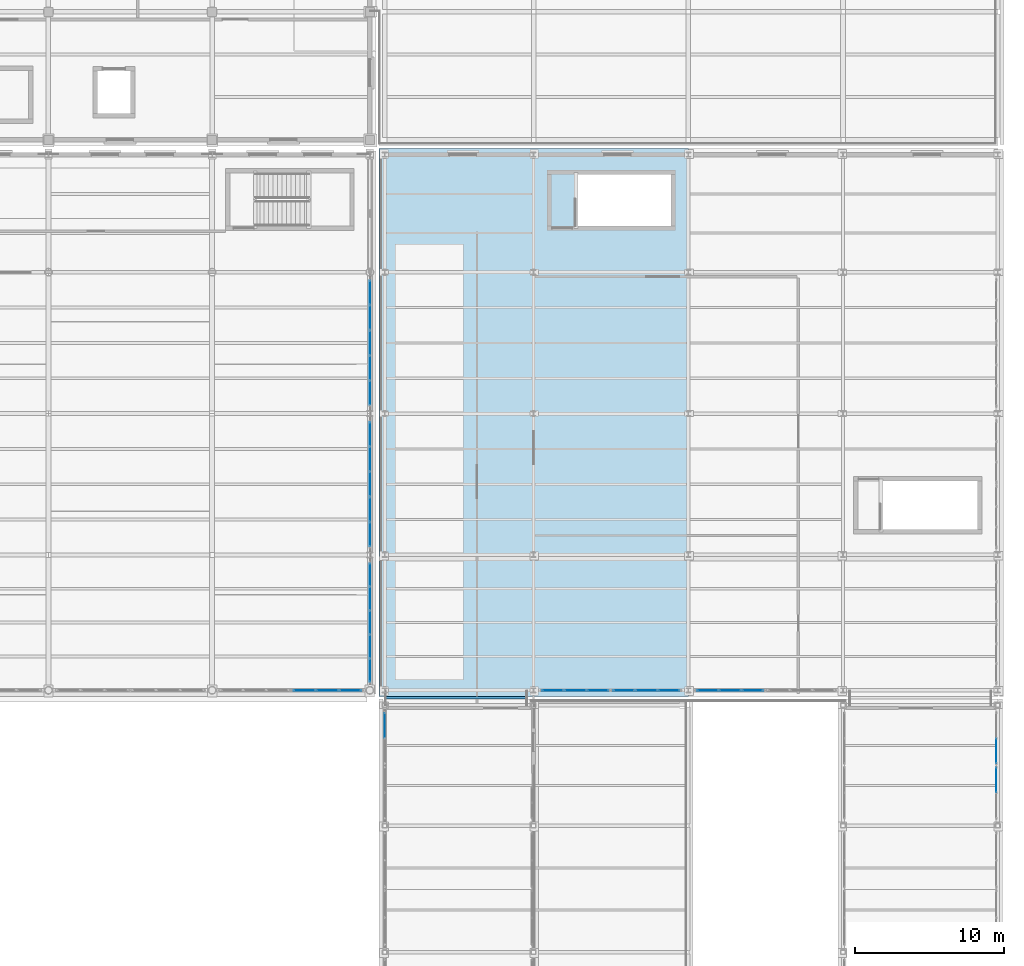
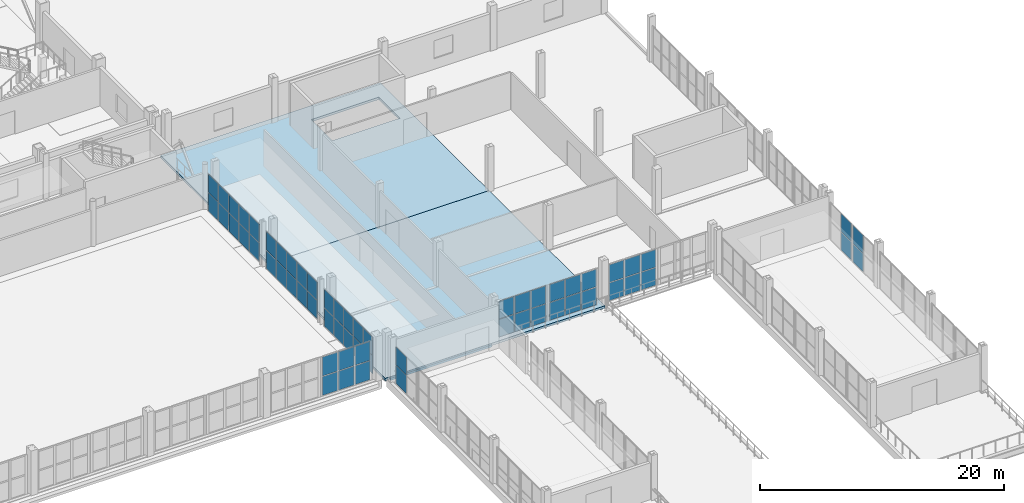
# One storey, part 109 of 156: 60 plates, 3 slabs, 10 elements without a shape of their own.
"""IFC4 building model written with IfcOpenShell, lengths in metres."""

from ifc_helpers import new_model, si_unit, direction, frame, origin, origin_2d, place, context, subcontext, project, spatial, polyline, rectangle, outline, extrude, material, layer, layer_set, type_object, element, aggregate, save


model = new_model("IFC4")

# Units and contexts
model_context = context("Model", 3, precision=1e-05, world=origin(), true_north=direction((0.0, 1.0)))
body_context = subcontext(model_context, "Body", "Model", "MODEL_VIEW")
ifc_project = project(units=[si_unit("LENGTHUNIT", "METRE"), si_unit("AREAUNIT", "SQUARE_METRE"), si_unit("VOLUMEUNIT", "CUBIC_METRE"), si_unit("PLANEANGLEUNIT", "RADIAN"), si_unit("MASSUNIT", "GRAM", prefix="KILO")], contexts=[model_context])

# Site, building, storey
site_placement = place(None, origin())
site = spatial("IfcSite", under=ifc_project, at=site_placement, CompositionType="ELEMENT")
building_placement = place(site_placement, origin())
building = spatial("IfcBuilding", under=site, at=building_placement, Name="Caurita Quay Ferry Terminal", CompositionType="ELEMENT")
storey_placement = place(building_placement, frame((0.0, 0.0, 5.39990234375)))
storey = spatial("IfcBuildingStorey", under=building, at=storey_placement, Name="L01", CompositionType="ELEMENT", Elevation=5.39990234375)

# Curtain wall, plates
ifc_material_1 = material(Name="Laminated solar-control insulated glass", Category="glass")
curtain_wall_type_1 = type_object("IfcCurtainWallType", Name="CW-SYS-16", PredefinedType="NOTDEFINED", material=ifc_material_1)
curtain_wall_1_placement = place(storey_placement, origin())
curtain_wall_1 = element("IfcCurtainWall", 1, at=curtain_wall_1_placement, inside=storey, type_object=curtain_wall_type_1, Name="Boarding Gangway Ribbon Curtain Wall 118", PredefinedType="NOTDEFINED")
ifc_layer_1 = layer(ifc_material_1, 0.02392578125, Name="Laminated low-e hurricane-rated glazing unit 24 mm")
ifc_layer_set_1 = layer_set([ifc_layer_1], Name="Laminated solar-control insulated glass")
plate_type_1 = type_object("IfcPlateType", Name="CW-PNL-24", PredefinedType="CURTAIN_PANEL", material=ifc_layer_set_1)
plate_1_placement = place(storey_placement, frame((132.800048828125, 32.237548828125, 0.05322265625), z_axis=(0.0, 0.0, 1.0), x_axis=(0.0, 1.0, 0.0)))
plate_1 = element("IfcPlate", 2, at=plate_1_placement, type_object=plate_type_1, Name="CW-BGW-118 Glazing Panel 3", PredefinedType="CURTAIN_PANEL", context=body_context, shape_type="SweptSolid", body=[
    extrude(rectangle(XDim=1.64892578125, YDim=0.02392578125, at=origin_2d()), origin(), (0.0, 0.0, 1.0), 1.79638671875),
])
plate_2_placement = place(storey_placement, frame((132.800048828125, 32.237548828125, 1.900634765625), z_axis=(0.0, 0.0, 1.0), x_axis=(0.0, 1.0, 0.0)))
plate_2 = element("IfcPlate", 3, at=plate_2_placement, type_object=plate_type_1, Name="CW-BGW-118 Glazing Panel 4", PredefinedType="CURTAIN_PANEL", context=body_context, shape_type="SweptSolid", body=[
    extrude(rectangle(XDim=1.64892578125, YDim=0.02392578125, at=origin_2d()), origin(), (0.0, 0.0, 1.0), 1.79638671875),
])
aggregate(curtain_wall_1, [plate_1, plate_2])

curtain_wall_2_placement = place(storey_placement, origin())
curtain_wall_2 = element("IfcCurtainWall", 4, at=curtain_wall_2_placement, inside=storey, type_object=curtain_wall_type_1, Name="Boarding Gangway Ribbon Curtain Wall 134", PredefinedType="NOTDEFINED")
plate_3_placement = place(storey_placement, frame((173.89990234375, 28.5673828125, 0.05322265625), z_axis=(0.0, 0.0, 1.0), x_axis=(0.0, 1.0, 0.0)))
plate_3 = element("IfcPlate", 5, at=plate_3_placement, type_object=plate_type_1, Name="CW-BGW-134 Glazing Panel 3", PredefinedType="CURTAIN_PANEL", context=body_context, shape_type="SweptSolid", body=[
    extrude(rectangle(XDim=1.64892578125, YDim=0.02392578125, at=origin_2d()), origin(), (0.0, 0.0, 1.0), 1.79638671875),
])
plate_4_placement = place(storey_placement, frame((173.89990234375, 28.5673828125, 1.900634765625), z_axis=(0.0, 0.0, 1.0), x_axis=(0.0, 1.0, 0.0)))
plate_4 = element("IfcPlate", 6, at=plate_4_placement, type_object=plate_type_1, Name="CW-BGW-134 Glazing Panel 4", PredefinedType="CURTAIN_PANEL", context=body_context, shape_type="SweptSolid", body=[
    extrude(rectangle(XDim=1.64892578125, YDim=0.02392578125, at=origin_2d()), origin(), (0.0, 0.0, 1.0), 1.79638671875),
])
aggregate(curtain_wall_2, [plate_3, plate_4])

curtain_wall_3_placement = place(storey_placement, origin())
curtain_wall_3 = element("IfcCurtainWall", 7, at=curtain_wall_3_placement, inside=storey, type_object=curtain_wall_type_1, Name="Boarding Gangway Ribbon Curtain Wall 135", PredefinedType="NOTDEFINED")
plate_5_placement = place(storey_placement, frame((173.89990234375, 30.532470703125, 0.05322265625), z_axis=(0.0, 0.0, 1.0), x_axis=(0.0, 1.0, 0.0)))
plate_5 = element("IfcPlate", 8, at=plate_5_placement, type_object=plate_type_1, Name="CW-BGW-135 Glazing Panel 1", PredefinedType="CURTAIN_PANEL", context=body_context, shape_type="SweptSolid", body=[
    extrude(rectangle(XDim=1.64892578125, YDim=0.02392578125, at=origin_2d()), origin(), (0.0, 0.0, 1.0), 1.79638671875),
])
plate_6_placement = place(storey_placement, frame((173.89990234375, 30.532470703125, 1.900634765625), z_axis=(0.0, 0.0, 1.0), x_axis=(0.0, 1.0, 0.0)))
plate_6 = element("IfcPlate", 9, at=plate_6_placement, type_object=plate_type_1, Name="CW-BGW-135 Glazing Panel 2", PredefinedType="CURTAIN_PANEL", context=body_context, shape_type="SweptSolid", body=[
    extrude(rectangle(XDim=1.64892578125, YDim=0.02392578125, at=origin_2d()), origin(), (0.0, 0.0, 1.0), 1.79638671875),
])
aggregate(curtain_wall_3, [plate_5, plate_6])

curtain_wall_type_2 = type_object("IfcCurtainWallType", Name="CW-SYS-09", PredefinedType="NOTDEFINED", material=ifc_material_1)
curtain_wall_4_placement = place(storey_placement, origin())
curtain_wall_4 = element("IfcCurtainWall", 10, at=curtain_wall_4_placement, inside=storey, type_object=curtain_wall_type_2, Name="V2 Waterside Concourse Curtain Wall 072", PredefinedType="NOTDEFINED")
ifc_layer_2 = layer(ifc_material_1, 0.028076171875, Name="Laminated low-e hurricane-rated glazing unit 28 mm")
ifc_layer_set_2 = layer_set([ifc_layer_2], Name="Laminated solar-control insulated glass")
plate_type_2 = type_object("IfcPlateType", Name="CW-PNL-28", PredefinedType="CURTAIN_PANEL", material=ifc_layer_set_2)
plate_7_placement = place(storey_placement, frame((127.398681640625, 34.60009765625, 0.06298828125), z_axis=(0.0, 0.0, 1.0), x_axis=(1.0, 0.0, 0.0)))
plate_7 = element("IfcPlate", 11, at=plate_7_placement, type_object=plate_type_2, Name="CW-SEA-072 Glazing Panel 1", PredefinedType="CURTAIN_PANEL", context=body_context, shape_type="SweptSolid", body=[
    extrude(rectangle(XDim=1.451416015625, YDim=0.028076171875, at=origin_2d()), origin(), (0.0, 0.0, 1.0), 1.8916015625),
])
plate_8_placement = place(storey_placement, frame((127.398681640625, 34.60009765625, 2.015625), z_axis=(0.0, 0.0, 1.0), x_axis=(1.0, 0.0, 0.0)))
plate_8 = element("IfcPlate", 12, at=plate_8_placement, type_object=plate_type_2, Name="CW-SEA-072 Glazing Panel 2", PredefinedType="CURTAIN_PANEL", context=body_context, shape_type="SweptSolid", body=[
    extrude(rectangle(XDim=1.451416015625, YDim=0.028076171875, at=origin_2d()), origin(), (0.0, 0.0, 1.0), 1.8916015625),
])
plate_9_placement = place(storey_placement, frame((128.93994140625, 34.60009765625, 0.06298828125), z_axis=(0.0, 0.0, 1.0), x_axis=(1.0, 0.0, 0.0)))
plate_9 = element("IfcPlate", 13, at=plate_9_placement, type_object=plate_type_2, Name="CW-SEA-072 Glazing Panel 3", PredefinedType="CURTAIN_PANEL", context=body_context, shape_type="SweptSolid", body=[
    extrude(rectangle(XDim=1.489013671875, YDim=0.028076171875, at=origin_2d()), origin(), (0.0, 0.0, 1.0), 1.8916015625),
])
plate_10_placement = place(storey_placement, frame((128.93994140625, 34.60009765625, 2.015625), z_axis=(0.0, 0.0, 1.0), x_axis=(1.0, 0.0, 0.0)))
plate_10 = element("IfcPlate", 14, at=plate_10_placement, type_object=plate_type_2, Name="CW-SEA-072 Glazing Panel 4", PredefinedType="CURTAIN_PANEL", context=body_context, shape_type="SweptSolid", body=[
    extrude(rectangle(XDim=1.489013671875, YDim=0.028076171875, at=origin_2d()), origin(), (0.0, 0.0, 1.0), 1.8916015625),
])
plate_11_placement = place(storey_placement, frame((130.481201171875, 34.60009765625, 0.06298828125), z_axis=(0.0, 0.0, 1.0), x_axis=(1.0, 0.0, 0.0)))
plate_11 = element("IfcPlate", 15, at=plate_11_placement, type_object=plate_type_2, Name="CW-SEA-072 Glazing Panel 5", PredefinedType="CURTAIN_PANEL", context=body_context, shape_type="SweptSolid", body=[
    extrude(rectangle(XDim=1.451416015625, YDim=0.028076171875, at=origin_2d()), origin(), (0.0, 0.0, 1.0), 1.8916015625),
])
plate_12_placement = place(storey_placement, frame((130.481201171875, 34.60009765625, 2.015625), z_axis=(0.0, 0.0, 1.0), x_axis=(1.0, 0.0, 0.0)))
plate_12 = element("IfcPlate", 16, at=plate_12_placement, type_object=plate_type_2, Name="CW-SEA-072 Glazing Panel 6", PredefinedType="CURTAIN_PANEL", context=body_context, shape_type="SweptSolid", body=[
    extrude(rectangle(XDim=1.451416015625, YDim=0.028076171875, at=origin_2d()), origin(), (0.0, 0.0, 1.0), 1.8916015625),
])
aggregate(curtain_wall_4, [plate_7, plate_8, plate_9, plate_10, plate_11, plate_12])

curtain_wall_type_3 = type_object("IfcCurtainWallType", Name="CW-SYS-10", PredefinedType="NOTDEFINED", material=ifc_material_1)
curtain_wall_5_placement = place(storey_placement, origin())
curtain_wall_5 = element("IfcCurtainWall", 17, at=curtain_wall_5_placement, inside=storey, type_object=curtain_wall_type_3, Name="V3 Waterside Concourse Curtain Wall 073", PredefinedType="NOTDEFINED")
plate_13_placement = place(storey_placement, frame((144.10205078125, 34.60009765625, 0.06298828125), z_axis=(0.0, 0.0, 1.0), x_axis=(1.0, 0.0, 0.0)))
plate_13 = element("IfcPlate", 18, at=plate_13_placement, type_object=plate_type_2, Name="CW-SEA-073 Glazing Panel 1", PredefinedType="CURTAIN_PANEL", context=body_context, shape_type="SweptSolid", body=[
    extrude(rectangle(XDim=1.418212890625, YDim=0.028076171875, at=origin_2d()), origin(), (0.0, 0.0, 1.0), 1.756591796875),
])
plate_14_placement = place(storey_placement, frame((144.10205078125, 34.60009765625, 1.88037109375), z_axis=(0.0, 0.0, 1.0), x_axis=(1.0, 0.0, 0.0)))
plate_14 = element("IfcPlate", 19, at=plate_14_placement, type_object=plate_type_2, Name="CW-SEA-073 Glazing Panel 2", PredefinedType="CURTAIN_PANEL", context=body_context, shape_type="SweptSolid", body=[
    extrude(rectangle(XDim=1.418212890625, YDim=0.028076171875, at=origin_2d()), origin(), (0.0, 0.0, 1.0), 1.756591796875),
])
plate_15_placement = place(storey_placement, frame((145.610107421875, 34.60009765625, 0.06298828125), z_axis=(0.0, 0.0, 1.0), x_axis=(1.0, 0.0, 0.0)))
plate_15 = element("IfcPlate", 20, at=plate_15_placement, type_object=plate_type_2, Name="CW-SEA-073 Glazing Panel 3", PredefinedType="CURTAIN_PANEL", context=body_context, shape_type="SweptSolid", body=[
    extrude(rectangle(XDim=1.455810546875, YDim=0.028076171875, at=origin_2d()), origin(), (0.0, 0.0, 1.0), 1.756591796875),
])
plate_16_placement = place(storey_placement, frame((145.610107421875, 34.60009765625, 1.88037109375), z_axis=(0.0, 0.0, 1.0), x_axis=(1.0, 0.0, 0.0)))
plate_16 = element("IfcPlate", 21, at=plate_16_placement, type_object=plate_type_2, Name="CW-SEA-073 Glazing Panel 4", PredefinedType="CURTAIN_PANEL", context=body_context, shape_type="SweptSolid", body=[
    extrude(rectangle(XDim=1.455810546875, YDim=0.028076171875, at=origin_2d()), origin(), (0.0, 0.0, 1.0), 1.756591796875),
])
plate_17_placement = place(storey_placement, frame((147.117919921875, 34.60009765625, 0.06298828125), z_axis=(0.0, 0.0, 1.0), x_axis=(1.0, 0.0, 0.0)))
plate_17 = element("IfcPlate", 22, at=plate_17_placement, type_object=plate_type_2, Name="CW-SEA-073 Glazing Panel 5", PredefinedType="CURTAIN_PANEL", context=body_context, shape_type="SweptSolid", body=[
    extrude(rectangle(XDim=1.418212890625, YDim=0.028076171875, at=origin_2d()), origin(), (0.0, 0.0, 1.0), 1.756591796875),
])
plate_18_placement = place(storey_placement, frame((147.117919921875, 34.60009765625, 1.88037109375), z_axis=(0.0, 0.0, 1.0), x_axis=(1.0, 0.0, 0.0)))
plate_18 = element("IfcPlate", 23, at=plate_18_placement, type_object=plate_type_2, Name="CW-SEA-073 Glazing Panel 6", PredefinedType="CURTAIN_PANEL", context=body_context, shape_type="SweptSolid", body=[
    extrude(rectangle(XDim=1.418212890625, YDim=0.028076171875, at=origin_2d()), origin(), (0.0, 0.0, 1.0), 1.756591796875),
])
aggregate(curtain_wall_5, [plate_13, plate_14, plate_15, plate_16, plate_17, plate_18])

curtain_wall_6_placement = place(storey_placement, origin())
curtain_wall_6 = element("IfcCurtainWall", 24, at=curtain_wall_6_placement, inside=storey, type_object=curtain_wall_type_3, Name="V3 Waterside Concourse Curtain Wall 074", PredefinedType="NOTDEFINED")
plate_19_placement = place(storey_placement, frame((148.882080078125, 34.60009765625, 0.06298828125), z_axis=(0.0, 0.0, 1.0), x_axis=(1.0, 0.0, 0.0)))
plate_19 = element("IfcPlate", 25, at=plate_19_placement, type_object=plate_type_2, Name="CW-SEA-074 Glazing Panel 1", PredefinedType="CURTAIN_PANEL", context=body_context, shape_type="SweptSolid", body=[
    extrude(rectangle(XDim=1.418212890625, YDim=0.028076171875, at=origin_2d()), origin(), (0.0, 0.0, 1.0), 1.756591796875),
])
plate_20_placement = place(storey_placement, frame((148.882080078125, 34.60009765625, 1.88037109375), z_axis=(0.0, 0.0, 1.0), x_axis=(1.0, 0.0, 0.0)))
plate_20 = element("IfcPlate", 26, at=plate_20_placement, type_object=plate_type_2, Name="CW-SEA-074 Glazing Panel 2", PredefinedType="CURTAIN_PANEL", context=body_context, shape_type="SweptSolid", body=[
    extrude(rectangle(XDim=1.418212890625, YDim=0.028076171875, at=origin_2d()), origin(), (0.0, 0.0, 1.0), 1.756591796875),
])
plate_21_placement = place(storey_placement, frame((150.389892578125, 34.60009765625, 0.06298828125), z_axis=(0.0, 0.0, 1.0), x_axis=(1.0, 0.0, 0.0)))
plate_21 = element("IfcPlate", 27, at=plate_21_placement, type_object=plate_type_2, Name="CW-SEA-074 Glazing Panel 3", PredefinedType="CURTAIN_PANEL", context=body_context, shape_type="SweptSolid", body=[
    extrude(rectangle(XDim=1.455810546875, YDim=0.028076171875, at=origin_2d()), origin(), (0.0, 0.0, 1.0), 1.756591796875),
])
plate_22_placement = place(storey_placement, frame((150.389892578125, 34.60009765625, 1.88037109375), z_axis=(0.0, 0.0, 1.0), x_axis=(1.0, 0.0, 0.0)))
plate_22 = element("IfcPlate", 28, at=plate_22_placement, type_object=plate_type_2, Name="CW-SEA-074 Glazing Panel 4", PredefinedType="CURTAIN_PANEL", context=body_context, shape_type="SweptSolid", body=[
    extrude(rectangle(XDim=1.455810546875, YDim=0.028076171875, at=origin_2d()), origin(), (0.0, 0.0, 1.0), 1.756591796875),
])
plate_23_placement = place(storey_placement, frame((151.89794921875, 34.60009765625, 0.06298828125), z_axis=(0.0, 0.0, 1.0), x_axis=(1.0, 0.0, 0.0)))
plate_23 = element("IfcPlate", 29, at=plate_23_placement, type_object=plate_type_2, Name="CW-SEA-074 Glazing Panel 5", PredefinedType="CURTAIN_PANEL", context=body_context, shape_type="SweptSolid", body=[
    extrude(rectangle(XDim=1.418212890625, YDim=0.028076171875, at=origin_2d()), origin(), (0.0, 0.0, 1.0), 1.756591796875),
])
plate_24_placement = place(storey_placement, frame((151.89794921875, 34.60009765625, 1.88037109375), z_axis=(0.0, 0.0, 1.0), x_axis=(1.0, 0.0, 0.0)))
plate_24 = element("IfcPlate", 30, at=plate_24_placement, type_object=plate_type_2, Name="CW-SEA-074 Glazing Panel 6", PredefinedType="CURTAIN_PANEL", context=body_context, shape_type="SweptSolid", body=[
    extrude(rectangle(XDim=1.418212890625, YDim=0.028076171875, at=origin_2d()), origin(), (0.0, 0.0, 1.0), 1.756591796875),
])
aggregate(curtain_wall_6, [plate_19, plate_20, plate_21, plate_22, plate_23, plate_24])

curtain_wall_7_placement = place(storey_placement, origin())
curtain_wall_7 = element("IfcCurtainWall", 31, at=curtain_wall_7_placement, inside=storey, type_object=curtain_wall_type_3, Name="V3 Waterside Concourse Curtain Wall 075", PredefinedType="NOTDEFINED")
plate_25_placement = place(storey_placement, frame((154.502197265625, 34.60009765625, 0.06298828125), z_axis=(0.0, 0.0, 1.0), x_axis=(1.0, 0.0, 0.0)))
plate_25 = element("IfcPlate", 32, at=plate_25_placement, type_object=plate_type_2, Name="CW-SEA-075 Glazing Panel 1", PredefinedType="CURTAIN_PANEL", context=body_context, shape_type="SweptSolid", body=[
    extrude(rectangle(XDim=1.418212890625, YDim=0.028076171875, at=origin_2d()), origin(), (0.0, 0.0, 1.0), 1.756591796875),
])
plate_26_placement = place(storey_placement, frame((154.502197265625, 34.60009765625, 1.88037109375), z_axis=(0.0, 0.0, 1.0), x_axis=(1.0, 0.0, 0.0)))
plate_26 = element("IfcPlate", 33, at=plate_26_placement, type_object=plate_type_2, Name="CW-SEA-075 Glazing Panel 2", PredefinedType="CURTAIN_PANEL", context=body_context, shape_type="SweptSolid", body=[
    extrude(rectangle(XDim=1.418212890625, YDim=0.028076171875, at=origin_2d()), origin(), (0.0, 0.0, 1.0), 1.756591796875),
])
plate_27_placement = place(storey_placement, frame((156.010009765625, 34.60009765625, 0.06298828125), z_axis=(0.0, 0.0, 1.0), x_axis=(1.0, 0.0, 0.0)))
plate_27 = element("IfcPlate", 34, at=plate_27_placement, type_object=plate_type_2, Name="CW-SEA-075 Glazing Panel 3", PredefinedType="CURTAIN_PANEL", context=body_context, shape_type="SweptSolid", body=[
    extrude(rectangle(XDim=1.455810546875, YDim=0.028076171875, at=origin_2d()), origin(), (0.0, 0.0, 1.0), 1.756591796875),
])
plate_28_placement = place(storey_placement, frame((156.010009765625, 34.60009765625, 1.88037109375), z_axis=(0.0, 0.0, 1.0), x_axis=(1.0, 0.0, 0.0)))
plate_28 = element("IfcPlate", 35, at=plate_28_placement, type_object=plate_type_2, Name="CW-SEA-075 Glazing Panel 4", PredefinedType="CURTAIN_PANEL", context=body_context, shape_type="SweptSolid", body=[
    extrude(rectangle(XDim=1.455810546875, YDim=0.028076171875, at=origin_2d()), origin(), (0.0, 0.0, 1.0), 1.756591796875),
])
plate_29_placement = place(storey_placement, frame((157.517822265625, 34.60009765625, 0.06298828125), z_axis=(0.0, 0.0, 1.0), x_axis=(1.0, 0.0, 0.0)))
plate_29 = element("IfcPlate", 36, at=plate_29_placement, type_object=plate_type_2, Name="CW-SEA-075 Glazing Panel 5", PredefinedType="CURTAIN_PANEL", context=body_context, shape_type="SweptSolid", body=[
    extrude(rectangle(XDim=1.418212890625, YDim=0.028076171875, at=origin_2d()), origin(), (0.0, 0.0, 1.0), 1.756591796875),
])
plate_30_placement = place(storey_placement, frame((157.517822265625, 34.60009765625, 1.88037109375), z_axis=(0.0, 0.0, 1.0), x_axis=(1.0, 0.0, 0.0)))
plate_30 = element("IfcPlate", 37, at=plate_30_placement, type_object=plate_type_2, Name="CW-SEA-075 Glazing Panel 6", PredefinedType="CURTAIN_PANEL", context=body_context, shape_type="SweptSolid", body=[
    extrude(rectangle(XDim=1.418212890625, YDim=0.028076171875, at=origin_2d()), origin(), (0.0, 0.0, 1.0), 1.756591796875),
])
aggregate(curtain_wall_7, [plate_25, plate_26, plate_27, plate_28, plate_29, plate_30])

curtain_wall_type_4 = type_object("IfcCurtainWallType", Name="CW-SYS-11", PredefinedType="NOTDEFINED", material=ifc_material_1)
curtain_wall_8_placement = place(storey_placement, origin())
curtain_wall_8 = element("IfcCurtainWall", 38, at=curtain_wall_8_placement, inside=storey, type_object=curtain_wall_type_4, Name="Concourse Gable Curtain Wall 086", PredefinedType="NOTDEFINED")
plate_31_placement = place(storey_placement, frame((131.800048828125, 35.942138671875, 0.05810546875), z_axis=(0.0, 0.0, 1.0), x_axis=(0.0, 1.0, 0.0)))
plate_31 = element("IfcPlate", 39, at=plate_31_placement, type_object=plate_type_2, Name="CW-GBL-086 Glazing Panel 1", PredefinedType="CURTAIN_PANEL", context=body_context, shape_type="SweptSolid", body=[
    extrude(rectangle(XDim=1.5185546875, YDim=0.028076171875, at=origin_2d()), origin(), (0.0, 0.0, 1.0), 1.81396484375),
])
plate_32_placement = place(storey_placement, frame((131.800048828125, 35.942138671875, 1.92822265625), z_axis=(0.0, 0.0, 1.0), x_axis=(0.0, 1.0, 0.0)))
plate_32 = element("IfcPlate", 40, at=plate_32_placement, type_object=plate_type_2, Name="CW-GBL-086 Glazing Panel 2", PredefinedType="CURTAIN_PANEL", context=body_context, shape_type="SweptSolid", body=[
    extrude(rectangle(XDim=1.5185546875, YDim=0.028076171875, at=origin_2d()), origin(), (0.0, 0.0, 1.0), 1.81396484375),
])
plate_33_placement = place(storey_placement, frame((131.800048828125, 37.5380859375, 0.05810546875), z_axis=(0.0, 0.0, 1.0), x_axis=(0.0, 1.0, 0.0)))
plate_33 = element("IfcPlate", 41, at=plate_33_placement, type_object=plate_type_2, Name="CW-GBL-086 Glazing Panel 3", PredefinedType="CURTAIN_PANEL", context=body_context, shape_type="SweptSolid", body=[
    extrude(rectangle(XDim=1.551025390625, YDim=0.028076171875, at=origin_2d()), origin(), (0.0, 0.0, 1.0), 1.81396484375),
])
plate_34_placement = place(storey_placement, frame((131.800048828125, 37.5380859375, 1.92822265625), z_axis=(0.0, 0.0, 1.0), x_axis=(0.0, 1.0, 0.0)))
plate_34 = element("IfcPlate", 42, at=plate_34_placement, type_object=plate_type_2, Name="CW-GBL-086 Glazing Panel 4", PredefinedType="CURTAIN_PANEL", context=body_context, shape_type="SweptSolid", body=[
    extrude(rectangle(XDim=1.551025390625, YDim=0.028076171875, at=origin_2d()), origin(), (0.0, 0.0, 1.0), 1.81396484375),
])
plate_35_placement = place(storey_placement, frame((131.800048828125, 39.14990234375, 0.05810546875), z_axis=(0.0, 0.0, 1.0), x_axis=(0.0, 1.0, 0.0)))
plate_35 = element("IfcPlate", 43, at=plate_35_placement, type_object=plate_type_2, Name="CW-GBL-086 Glazing Panel 5", PredefinedType="CURTAIN_PANEL", context=body_context, shape_type="SweptSolid", body=[
    extrude(rectangle(XDim=1.551025390625, YDim=0.028076171875, at=origin_2d()), origin(), (0.0, 0.0, 1.0), 1.81396484375),
])
plate_36_placement = place(storey_placement, frame((131.800048828125, 39.14990234375, 1.92822265625), z_axis=(0.0, 0.0, 1.0), x_axis=(0.0, 1.0, 0.0)))
plate_36 = element("IfcPlate", 44, at=plate_36_placement, type_object=plate_type_2, Name="CW-GBL-086 Glazing Panel 6", PredefinedType="CURTAIN_PANEL", context=body_context, shape_type="SweptSolid", body=[
    extrude(rectangle(XDim=1.551025390625, YDim=0.028076171875, at=origin_2d()), origin(), (0.0, 0.0, 1.0), 1.81396484375),
])
plate_37_placement = place(storey_placement, frame((131.800048828125, 40.761962890625, 0.05810546875), z_axis=(0.0, 0.0, 1.0), x_axis=(0.0, 1.0, 0.0)))
plate_37 = element("IfcPlate", 45, at=plate_37_placement, type_object=plate_type_2, Name="CW-GBL-086 Glazing Panel 7", PredefinedType="CURTAIN_PANEL", context=body_context, shape_type="SweptSolid", body=[
    extrude(rectangle(XDim=1.551025390625, YDim=0.028076171875, at=origin_2d()), origin(), (0.0, 0.0, 1.0), 1.81396484375),
])
plate_38_placement = place(storey_placement, frame((131.800048828125, 40.761962890625, 1.92822265625), z_axis=(0.0, 0.0, 1.0), x_axis=(0.0, 1.0, 0.0)))
plate_38 = element("IfcPlate", 46, at=plate_38_placement, type_object=plate_type_2, Name="CW-GBL-086 Glazing Panel 8", PredefinedType="CURTAIN_PANEL", context=body_context, shape_type="SweptSolid", body=[
    extrude(rectangle(XDim=1.551025390625, YDim=0.028076171875, at=origin_2d()), origin(), (0.0, 0.0, 1.0), 1.81396484375),
])
plate_39_placement = place(storey_placement, frame((131.800048828125, 42.357666015625, 0.05810546875), z_axis=(0.0, 0.0, 1.0), x_axis=(0.0, 1.0, 0.0)))
plate_39 = element("IfcPlate", 47, at=plate_39_placement, type_object=plate_type_2, Name="CW-GBL-086 Glazing Panel 9", PredefinedType="CURTAIN_PANEL", context=body_context, shape_type="SweptSolid", body=[
    extrude(rectangle(XDim=1.5185546875, YDim=0.028076171875, at=origin_2d()), origin(), (0.0, 0.0, 1.0), 1.81396484375),
])
plate_40_placement = place(storey_placement, frame((131.800048828125, 42.357666015625, 1.92822265625), z_axis=(0.0, 0.0, 1.0), x_axis=(0.0, 1.0, 0.0)))
plate_40 = element("IfcPlate", 48, at=plate_40_placement, type_object=plate_type_2, Name="CW-GBL-086 Glazing Panel 10", PredefinedType="CURTAIN_PANEL", context=body_context, shape_type="SweptSolid", body=[
    extrude(rectangle(XDim=1.5185546875, YDim=0.028076171875, at=origin_2d()), origin(), (0.0, 0.0, 1.0), 1.81396484375),
])
aggregate(curtain_wall_8, [plate_31, plate_32, plate_33, plate_34, plate_35, plate_36, plate_37, plate_38, plate_39, plate_40])

curtain_wall_type_5 = type_object("IfcCurtainWallType", Name="CW-SYS-12", PredefinedType="NOTDEFINED", material=ifc_material_1)
curtain_wall_9_placement = place(storey_placement, origin())
curtain_wall_9 = element("IfcCurtainWall", 49, at=curtain_wall_9_placement, inside=storey, type_object=curtain_wall_type_5, Name="Concourse Gable Curtain Wall 087", PredefinedType="NOTDEFINED")
plate_41_placement = place(storey_placement, frame((131.800048828125, 45.082275390625, 0.05810546875), z_axis=(0.0, 0.0, 1.0), x_axis=(0.0, 1.0, 0.0)))
plate_41 = element("IfcPlate", 50, at=plate_41_placement, type_object=plate_type_2, Name="CW-GBL-087 Glazing Panel 1", PredefinedType="CURTAIN_PANEL", context=body_context, shape_type="SweptSolid", body=[
    extrude(rectangle(XDim=1.598388671875, YDim=0.028076171875, at=origin_2d()), origin(), (0.0, 0.0, 1.0), 1.81396484375),
])
plate_42_placement = place(storey_placement, frame((131.800048828125, 45.082275390625, 1.92822265625), z_axis=(0.0, 0.0, 1.0), x_axis=(0.0, 1.0, 0.0)))
plate_42 = element("IfcPlate", 51, at=plate_42_placement, type_object=plate_type_2, Name="CW-GBL-087 Glazing Panel 2", PredefinedType="CURTAIN_PANEL", context=body_context, shape_type="SweptSolid", body=[
    extrude(rectangle(XDim=1.598388671875, YDim=0.028076171875, at=origin_2d()), origin(), (0.0, 0.0, 1.0), 1.81396484375),
])
plate_43_placement = place(storey_placement, frame((131.800048828125, 46.758056640625, 0.05810546875), z_axis=(0.0, 0.0, 1.0), x_axis=(0.0, 1.0, 0.0)))
plate_43 = element("IfcPlate", 52, at=plate_43_placement, type_object=plate_type_2, Name="CW-GBL-087 Glazing Panel 3", PredefinedType="CURTAIN_PANEL", context=body_context, shape_type="SweptSolid", body=[
    extrude(rectangle(XDim=1.631103515625, YDim=0.028076171875, at=origin_2d()), origin(), (0.0, 0.0, 1.0), 1.81396484375),
])
plate_44_placement = place(storey_placement, frame((131.800048828125, 46.758056640625, 1.92822265625), z_axis=(0.0, 0.0, 1.0), x_axis=(0.0, 1.0, 0.0)))
plate_44 = element("IfcPlate", 53, at=plate_44_placement, type_object=plate_type_2, Name="CW-GBL-087 Glazing Panel 4", PredefinedType="CURTAIN_PANEL", context=body_context, shape_type="SweptSolid", body=[
    extrude(rectangle(XDim=1.631103515625, YDim=0.028076171875, at=origin_2d()), origin(), (0.0, 0.0, 1.0), 1.81396484375),
])
plate_45_placement = place(storey_placement, frame((131.800048828125, 48.449951171875, 0.05810546875), z_axis=(0.0, 0.0, 1.0), x_axis=(0.0, 1.0, 0.0)))
plate_45 = element("IfcPlate", 54, at=plate_45_placement, type_object=plate_type_2, Name="CW-GBL-087 Glazing Panel 5", PredefinedType="CURTAIN_PANEL", context=body_context, shape_type="SweptSolid", body=[
    extrude(rectangle(XDim=1.631103515625, YDim=0.028076171875, at=origin_2d()), origin(), (0.0, 0.0, 1.0), 1.81396484375),
])
plate_46_placement = place(storey_placement, frame((131.800048828125, 48.449951171875, 1.92822265625), z_axis=(0.0, 0.0, 1.0), x_axis=(0.0, 1.0, 0.0)))
plate_46 = element("IfcPlate", 55, at=plate_46_placement, type_object=plate_type_2, Name="CW-GBL-087 Glazing Panel 6", PredefinedType="CURTAIN_PANEL", context=body_context, shape_type="SweptSolid", body=[
    extrude(rectangle(XDim=1.631103515625, YDim=0.028076171875, at=origin_2d()), origin(), (0.0, 0.0, 1.0), 1.81396484375),
])
plate_47_placement = place(storey_placement, frame((131.800048828125, 50.14208984375, 0.05810546875), z_axis=(0.0, 0.0, 1.0), x_axis=(0.0, 1.0, 0.0)))
plate_47 = element("IfcPlate", 56, at=plate_47_placement, type_object=plate_type_2, Name="CW-GBL-087 Glazing Panel 7", PredefinedType="CURTAIN_PANEL", context=body_context, shape_type="SweptSolid", body=[
    extrude(rectangle(XDim=1.631103515625, YDim=0.028076171875, at=origin_2d()), origin(), (0.0, 0.0, 1.0), 1.81396484375),
])
plate_48_placement = place(storey_placement, frame((131.800048828125, 50.14208984375, 1.92822265625), z_axis=(0.0, 0.0, 1.0), x_axis=(0.0, 1.0, 0.0)))
plate_48 = element("IfcPlate", 57, at=plate_48_placement, type_object=plate_type_2, Name="CW-GBL-087 Glazing Panel 8", PredefinedType="CURTAIN_PANEL", context=body_context, shape_type="SweptSolid", body=[
    extrude(rectangle(XDim=1.631103515625, YDim=0.028076171875, at=origin_2d()), origin(), (0.0, 0.0, 1.0), 1.81396484375),
])
plate_49_placement = place(storey_placement, frame((131.800048828125, 51.817626953125, 0.05810546875), z_axis=(0.0, 0.0, 1.0), x_axis=(0.0, 1.0, 0.0)))
plate_49 = element("IfcPlate", 58, at=plate_49_placement, type_object=plate_type_2, Name="CW-GBL-087 Glazing Panel 9", PredefinedType="CURTAIN_PANEL", context=body_context, shape_type="SweptSolid", body=[
    extrude(rectangle(XDim=1.598388671875, YDim=0.028076171875, at=origin_2d()), origin(), (0.0, 0.0, 1.0), 1.81396484375),
])
plate_50_placement = place(storey_placement, frame((131.800048828125, 51.817626953125, 1.92822265625), z_axis=(0.0, 0.0, 1.0), x_axis=(0.0, 1.0, 0.0)))
plate_50 = element("IfcPlate", 59, at=plate_50_placement, type_object=plate_type_2, Name="CW-GBL-087 Glazing Panel 10", PredefinedType="CURTAIN_PANEL", context=body_context, shape_type="SweptSolid", body=[
    extrude(rectangle(XDim=1.598388671875, YDim=0.028076171875, at=origin_2d()), origin(), (0.0, 0.0, 1.0), 1.81396484375),
])
aggregate(curtain_wall_9, [plate_41, plate_42, plate_43, plate_44, plate_45, plate_46, plate_47, plate_48, plate_49, plate_50])

curtain_wall_10_placement = place(storey_placement, origin())
curtain_wall_10 = element("IfcCurtainWall", 60, at=curtain_wall_10_placement, inside=storey, type_object=curtain_wall_type_5, Name="Concourse Gable Curtain Wall 088", PredefinedType="NOTDEFINED")
plate_51_placement = place(storey_placement, frame((131.800048828125, 54.582275390625, 0.05810546875), z_axis=(0.0, 0.0, 1.0), x_axis=(0.0, 1.0, 0.0)))
plate_51 = element("IfcPlate", 61, at=plate_51_placement, type_object=plate_type_2, Name="CW-GBL-088 Glazing Panel 1", PredefinedType="CURTAIN_PANEL", context=body_context, shape_type="SweptSolid", body=[
    extrude(rectangle(XDim=1.598388671875, YDim=0.028076171875, at=origin_2d()), origin(), (0.0, 0.0, 1.0), 1.81396484375),
])
plate_52_placement = place(storey_placement, frame((131.800048828125, 54.582275390625, 1.92822265625), z_axis=(0.0, 0.0, 1.0), x_axis=(0.0, 1.0, 0.0)))
plate_52 = element("IfcPlate", 62, at=plate_52_placement, type_object=plate_type_2, Name="CW-GBL-088 Glazing Panel 2", PredefinedType="CURTAIN_PANEL", context=body_context, shape_type="SweptSolid", body=[
    extrude(rectangle(XDim=1.598388671875, YDim=0.028076171875, at=origin_2d()), origin(), (0.0, 0.0, 1.0), 1.81396484375),
])
plate_53_placement = place(storey_placement, frame((131.800048828125, 56.258056640625, 0.05810546875), z_axis=(0.0, 0.0, 1.0), x_axis=(0.0, 1.0, 0.0)))
plate_53 = element("IfcPlate", 63, at=plate_53_placement, type_object=plate_type_2, Name="CW-GBL-088 Glazing Panel 3", PredefinedType="CURTAIN_PANEL", context=body_context, shape_type="SweptSolid", body=[
    extrude(rectangle(XDim=1.631103515625, YDim=0.028076171875, at=origin_2d()), origin(), (0.0, 0.0, 1.0), 1.81396484375),
])
plate_54_placement = place(storey_placement, frame((131.800048828125, 56.258056640625, 1.92822265625), z_axis=(0.0, 0.0, 1.0), x_axis=(0.0, 1.0, 0.0)))
plate_54 = element("IfcPlate", 64, at=plate_54_placement, type_object=plate_type_2, Name="CW-GBL-088 Glazing Panel 4", PredefinedType="CURTAIN_PANEL", context=body_context, shape_type="SweptSolid", body=[
    extrude(rectangle(XDim=1.631103515625, YDim=0.028076171875, at=origin_2d()), origin(), (0.0, 0.0, 1.0), 1.81396484375),
])
plate_55_placement = place(storey_placement, frame((131.800048828125, 57.949951171875, 0.05810546875), z_axis=(0.0, 0.0, 1.0), x_axis=(0.0, 1.0, 0.0)))
plate_55 = element("IfcPlate", 65, at=plate_55_placement, type_object=plate_type_2, Name="CW-GBL-088 Glazing Panel 5", PredefinedType="CURTAIN_PANEL", context=body_context, shape_type="SweptSolid", body=[
    extrude(rectangle(XDim=1.631103515625, YDim=0.028076171875, at=origin_2d()), origin(), (0.0, 0.0, 1.0), 1.81396484375),
])
plate_56_placement = place(storey_placement, frame((131.800048828125, 57.949951171875, 1.92822265625), z_axis=(0.0, 0.0, 1.0), x_axis=(0.0, 1.0, 0.0)))
plate_56 = element("IfcPlate", 66, at=plate_56_placement, type_object=plate_type_2, Name="CW-GBL-088 Glazing Panel 6", PredefinedType="CURTAIN_PANEL", context=body_context, shape_type="SweptSolid", body=[
    extrude(rectangle(XDim=1.631103515625, YDim=0.028076171875, at=origin_2d()), origin(), (0.0, 0.0, 1.0), 1.81396484375),
])
plate_57_placement = place(storey_placement, frame((131.800048828125, 59.64208984375, 0.05810546875), z_axis=(0.0, 0.0, 1.0), x_axis=(0.0, 1.0, 0.0)))
plate_57 = element("IfcPlate", 67, at=plate_57_placement, type_object=plate_type_2, Name="CW-GBL-088 Glazing Panel 7", PredefinedType="CURTAIN_PANEL", context=body_context, shape_type="SweptSolid", body=[
    extrude(rectangle(XDim=1.631103515625, YDim=0.028076171875, at=origin_2d()), origin(), (0.0, 0.0, 1.0), 1.81396484375),
])
plate_58_placement = place(storey_placement, frame((131.800048828125, 59.64208984375, 1.92822265625), z_axis=(0.0, 0.0, 1.0), x_axis=(0.0, 1.0, 0.0)))
plate_58 = element("IfcPlate", 68, at=plate_58_placement, type_object=plate_type_2, Name="CW-GBL-088 Glazing Panel 8", PredefinedType="CURTAIN_PANEL", context=body_context, shape_type="SweptSolid", body=[
    extrude(rectangle(XDim=1.631103515625, YDim=0.028076171875, at=origin_2d()), origin(), (0.0, 0.0, 1.0), 1.81396484375),
])
plate_59_placement = place(storey_placement, frame((131.800048828125, 61.317626953125, 0.05810546875), z_axis=(0.0, 0.0, 1.0), x_axis=(0.0, 1.0, 0.0)))
plate_59 = element("IfcPlate", 69, at=plate_59_placement, type_object=plate_type_2, Name="CW-GBL-088 Glazing Panel 9", PredefinedType="CURTAIN_PANEL", context=body_context, shape_type="SweptSolid", body=[
    extrude(rectangle(XDim=1.598388671875, YDim=0.028076171875, at=origin_2d()), origin(), (0.0, 0.0, 1.0), 1.81396484375),
])
plate_60_placement = place(storey_placement, frame((131.800048828125, 61.317626953125, 1.92822265625), z_axis=(0.0, 0.0, 1.0), x_axis=(0.0, 1.0, 0.0)))
plate_60 = element("IfcPlate", 70, at=plate_60_placement, type_object=plate_type_2, Name="CW-GBL-088 Glazing Panel 10", PredefinedType="CURTAIN_PANEL", context=body_context, shape_type="SweptSolid", body=[
    extrude(rectangle(XDim=1.598388671875, YDim=0.028076171875, at=origin_2d()), origin(), (0.0, 0.0, 1.0), 1.81396484375),
])
aggregate(curtain_wall_10, [plate_51, plate_52, plate_53, plate_54, plate_55, plate_56, plate_57, plate_58, plate_59, plate_60])

# Slabs
ifc_material_2 = material(Name="Reinforced concrete C35/45", Category="concrete")
ifc_layer_3 = layer(ifc_material_2, 0.219970703125, Name="Reinforced concrete floor slab 220 mm")
ifc_layer_set_3 = layer_set([ifc_layer_3], Name="Reinforced concrete C35/45")
slab_type_1 = type_object("IfcSlabType", Name="SLB-FLR-220", PredefinedType="FLOOR", material=ifc_layer_set_3)
slab_1_placement = place(storey_placement, frame((0.0, 0.0, -0.219970703125)))
element("IfcSlab", 71, at=slab_1_placement, inside=storey, type_object=slab_type_1, Name="L01 SJ3-GW1 Slab 01", PredefinedType="FLOOR", context=body_context, shape_type="SweptSolid", body=[
    extrude(outline(polyline([(132.800048828125, 34.010009765625), (142.39990234375, 34.010009765625), (142.39990234375, 34.18994140625), (132.800048828125, 34.18994140625), (132.800048828125, 34.010009765625)])), origin(), (0.0, 0.0, 1.0), 0.219970703125),
])
ifc_layer_4 = layer(ifc_material_2, 0.235107421875, Name="Reinforced concrete floor slab 235 mm")
ifc_layer_set_4 = layer_set([ifc_layer_4], Name="Reinforced concrete C35/45")
slab_type_2 = type_object("IfcSlabType", Name="SLB-FLR-235", PredefinedType="FLOOR", material=ifc_layer_set_4)
slab_2_placement = place(storey_placement, frame((0.0, 0.0, -0.23486328125)))
element("IfcSlab", 72, at=slab_2_placement, inside=storey, type_object=slab_type_2, Name="L01 V3-HH Slab 01", PredefinedType="FLOOR", context=body_context, shape_type="SweptSolid", body=[
    extrude(outline(polyline([(132.39990234375, 34.199951171875), (153.199951171875, 34.199951171875), (153.199951171875, 53.199951171875), (132.39990234375, 53.199951171875), (132.39990234375, 34.199951171875)])), origin(), (0.0, 0.0, 1.0), 0.23486328125),
])
slab_3_placement = place(storey_placement, frame((0.0, 0.0, -0.23486328125)))
element("IfcSlab", 73, at=slab_3_placement, inside=storey, type_object=slab_type_2, Name="L01 V3-HH Slab 02", PredefinedType="FLOOR", context=body_context, shape_type="SweptSolid", body=[
    extrude(outline(polyline([(132.39990234375, 53.199951171875), (153.199951171875, 53.199951171875), (153.199951171875, 71.0), (132.39990234375, 71.0), (132.39990234375, 53.199951171875)]), holes=[polyline([(145.64990234375, 65.800048828125), (152.050048828125, 65.800048828125), (152.050048828125, 69.260009765625), (145.64990234375, 69.260009765625), (145.64990234375, 65.800048828125)])]), origin(), (0.0, 0.0, 1.0), 0.23486328125),
])

save(model, "model.ifc")
